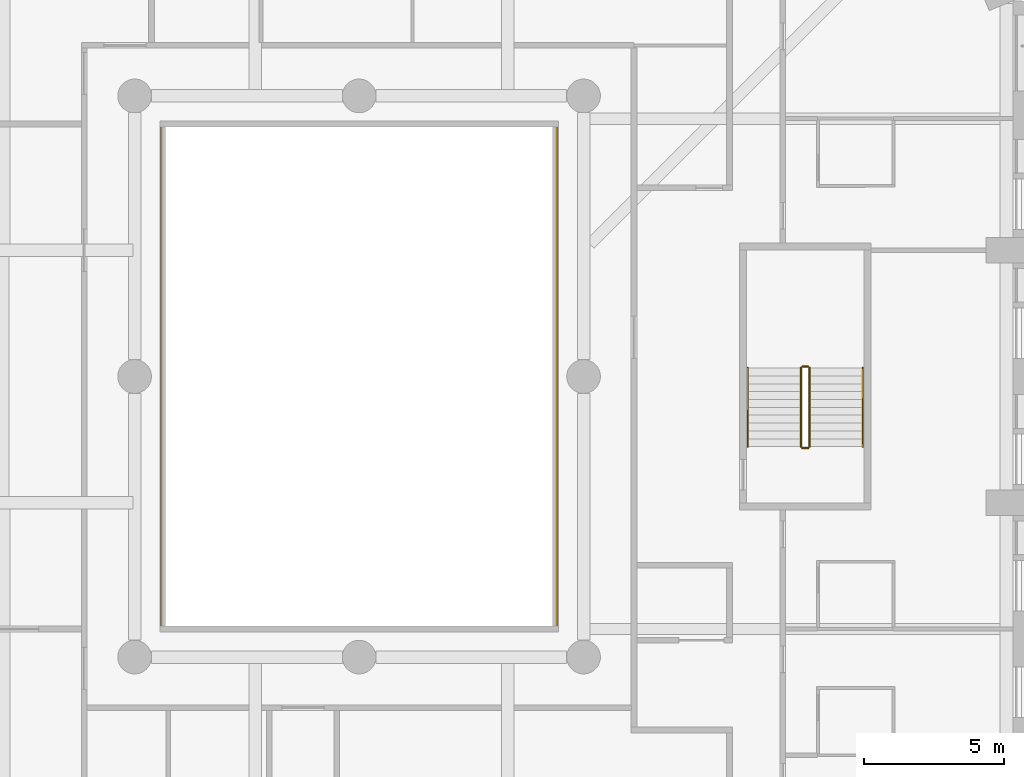
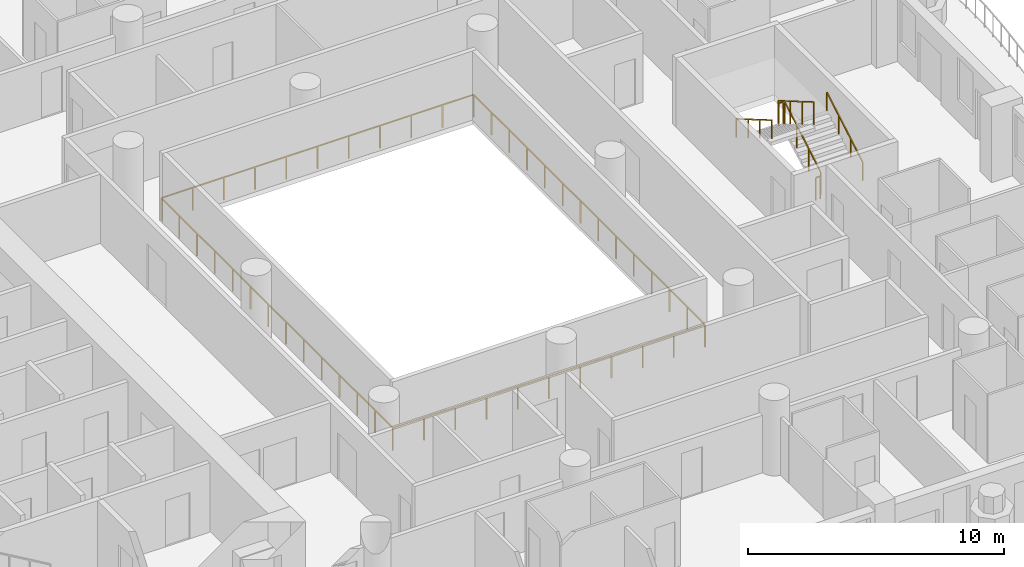
# One storey, part 15 of 20: 7 railings.
"""IFC4 building model written with IfcOpenShell, lengths in metres."""

from ifc_helpers import new_model, si_unit, direction, frame, origin, origin_2d, place, context, subcontext, project, spatial, rectangle, extrude, material, type_object, element, save


model = new_model("IFC4")

# Units and contexts
model_context = context("Model", 3, precision=1e-05, world=origin(), true_north=direction((0.0, 1.0)))
body_context = subcontext(model_context, "Body", "Model", "MODEL_VIEW")
ifc_project = project(units=[si_unit("LENGTHUNIT", "METRE"), si_unit("AREAUNIT", "SQUARE_METRE"), si_unit("VOLUMEUNIT", "CUBIC_METRE"), si_unit("PLANEANGLEUNIT", "RADIAN"), si_unit("MASSUNIT", "GRAM", prefix="KILO")], contexts=[model_context])

# Site, building, storey
site_placement = place(None, origin())
site = spatial("IfcSite", under=ifc_project, at=site_placement, CompositionType="ELEMENT")
building_placement = place(site_placement, origin())
building = spatial("IfcBuilding", under=site, at=building_placement, Name="Cypress Arch Tower", CompositionType="ELEMENT")
storey_placement = place(building_placement, frame((0.0, 0.0, 91.5)))
storey = spatial("IfcBuildingStorey", under=building, at=storey_placement, Name="L17", CompositionType="ELEMENT", Elevation=91.5)

# Railings
ifc_material_1 = material(Name="Stainless steel posts and handrail, laminated glass infill", Category="steel")
railing_type_1 = type_object("IfcRailingType", Name="Atrium guard GR1100A", PredefinedType="GUARDRAIL", material=ifc_material_1)
railing_1_placement = place(storey_placement, frame((8.050048828125, -9.050048828125, 0.0)))
element("IfcRailing", 1, at=railing_1_placement, inside=storey, type_object=railing_type_1, Name="Atrium guard L17", PredefinedType="GUARDRAIL", context=body_context, shape_type="SweptSolid", body=[
    extrude(rectangle(XDim=0.050048828125, YDim=0.050048828125, at=origin_2d()), frame((0.0, 0.0, 1.0751953125), z_axis=(-1.0, 0.0, 0.0), x_axis=(0.0, -1.0, 0.0)), (0.0, 0.0, 1.0), 14.10009765625),
    extrude(rectangle(XDim=0.050048828125, YDim=0.050048828125, at=origin_2d()), frame((-14.10009765625, 0.0, 1.0751953125), z_axis=(0.0, 1.0, 0.0), x_axis=(-1.0, 0.0, 0.0)), (0.0, 0.0, 1.0), 18.10009765625),
    extrude(rectangle(XDim=0.050048828125, YDim=0.050048828125, at=origin_2d()), frame((-14.10009765625, 18.10009765625, 1.0751953125), z_axis=(1.0, 0.0, 0.0), x_axis=(0.0, 1.0, 0.0)), (0.0, 0.0, 1.0), 14.10009765625),
    extrude(rectangle(XDim=0.050048828125, YDim=0.050048828125, at=origin_2d()), frame((0.0, 18.10009765625, 1.0751953125), z_axis=(0.0, -1.0, 0.0), x_axis=(1.0, 0.0, 0.0)), (0.0, 0.0, 1.0), 18.10009765625),
    extrude(rectangle(XDim=0.050048828125, YDim=0.050048828125, at=origin_2d()), origin(), (0.0, 0.0, 1.0), 1.050048828125),
    extrude(rectangle(XDim=0.050048828125, YDim=0.050048828125, at=origin_2d()), frame((-1.409912109375, 0.0, 0.0)), (0.0, 0.0, 1.0), 1.050048828125),
    extrude(rectangle(XDim=0.050048828125, YDim=0.050048828125, at=origin_2d()), frame((-2.820068359375, 0.0, 0.0)), (0.0, 0.0, 1.0), 1.050048828125),
    extrude(rectangle(XDim=0.050048828125, YDim=0.050048828125, at=origin_2d()), frame((-4.22998046875, 0.0, 0.0)), (0.0, 0.0, 1.0), 1.050048828125),
    extrude(rectangle(XDim=0.050048828125, YDim=0.050048828125, at=origin_2d()), frame((-5.64013671875, 0.0, 0.0)), (0.0, 0.0, 1.0), 1.050048828125),
    extrude(rectangle(XDim=0.050048828125, YDim=0.050048828125, at=origin_2d()), frame((-7.050048828125, 0.0, 0.0)), (0.0, 0.0, 1.0), 1.050048828125),
    extrude(rectangle(XDim=0.050048828125, YDim=0.050048828125, at=origin_2d()), frame((-8.4599609375, 0.0, 0.0)), (0.0, 0.0, 1.0), 1.050048828125),
    extrude(rectangle(XDim=0.050048828125, YDim=0.050048828125, at=origin_2d()), frame((-9.8701171875, 0.0, 0.0)), (0.0, 0.0, 1.0), 1.050048828125),
    extrude(rectangle(XDim=0.050048828125, YDim=0.050048828125, at=origin_2d()), frame((-11.280029296875, 0.0, 0.0)), (0.0, 0.0, 1.0), 1.050048828125),
    extrude(rectangle(XDim=0.050048828125, YDim=0.050048828125, at=origin_2d()), frame((-12.690185546875, 0.0, 0.0)), (0.0, 0.0, 1.0), 1.050048828125),
    extrude(rectangle(XDim=0.050048828125, YDim=0.050048828125, at=origin_2d()), frame((-14.10009765625, 0.0, 0.0)), (0.0, 0.0, 1.0), 1.050048828125),
    extrude(rectangle(XDim=0.050048828125, YDim=0.050048828125, at=origin_2d()), frame((-14.10009765625, 1.392333984375, 0.0)), (0.0, 0.0, 1.0), 1.050048828125),
    extrude(rectangle(XDim=0.050048828125, YDim=0.050048828125, at=origin_2d()), frame((-14.10009765625, 2.78466796875, 0.0)), (0.0, 0.0, 1.0), 1.050048828125),
    extrude(rectangle(XDim=0.050048828125, YDim=0.050048828125, at=origin_2d()), frame((-14.10009765625, 4.177001953125, 0.0)), (0.0, 0.0, 1.0), 1.050048828125),
    extrude(rectangle(XDim=0.050048828125, YDim=0.050048828125, at=origin_2d()), frame((-14.10009765625, 5.5693359375, 0.0)), (0.0, 0.0, 1.0), 1.050048828125),
    extrude(rectangle(XDim=0.050048828125, YDim=0.050048828125, at=origin_2d()), frame((-14.10009765625, 6.961669921875, 0.0)), (0.0, 0.0, 1.0), 1.050048828125),
    extrude(rectangle(XDim=0.050048828125, YDim=0.050048828125, at=origin_2d()), frame((-14.10009765625, 8.35400390625, 0.0)), (0.0, 0.0, 1.0), 1.050048828125),
    extrude(rectangle(XDim=0.050048828125, YDim=0.050048828125, at=origin_2d()), frame((-14.10009765625, 9.74609375, 0.0)), (0.0, 0.0, 1.0), 1.050048828125),
    extrude(rectangle(XDim=0.050048828125, YDim=0.050048828125, at=origin_2d()), frame((-14.10009765625, 11.138427734375, 0.0)), (0.0, 0.0, 1.0), 1.050048828125),
    extrude(rectangle(XDim=0.050048828125, YDim=0.050048828125, at=origin_2d()), frame((-14.10009765625, 12.53076171875, 0.0)), (0.0, 0.0, 1.0), 1.050048828125),
    extrude(rectangle(XDim=0.050048828125, YDim=0.050048828125, at=origin_2d()), frame((-14.10009765625, 13.923095703125, 0.0)), (0.0, 0.0, 1.0), 1.050048828125),
    extrude(rectangle(XDim=0.050048828125, YDim=0.050048828125, at=origin_2d()), frame((-14.10009765625, 15.3154296875, 0.0)), (0.0, 0.0, 1.0), 1.050048828125),
    extrude(rectangle(XDim=0.050048828125, YDim=0.050048828125, at=origin_2d()), frame((-14.10009765625, 16.707763671875, 0.0)), (0.0, 0.0, 1.0), 1.050048828125),
    extrude(rectangle(XDim=0.050048828125, YDim=0.050048828125, at=origin_2d()), frame((-14.10009765625, 18.10009765625, 0.0)), (0.0, 0.0, 1.0), 1.050048828125),
    extrude(rectangle(XDim=0.050048828125, YDim=0.050048828125, at=origin_2d()), frame((-12.690185546875, 18.10009765625, 0.0)), (0.0, 0.0, 1.0), 1.050048828125),
    extrude(rectangle(XDim=0.050048828125, YDim=0.050048828125, at=origin_2d()), frame((-11.280029296875, 18.10009765625, 0.0)), (0.0, 0.0, 1.0), 1.050048828125),
    extrude(rectangle(XDim=0.050048828125, YDim=0.050048828125, at=origin_2d()), frame((-9.8701171875, 18.10009765625, 0.0)), (0.0, 0.0, 1.0), 1.050048828125),
    extrude(rectangle(XDim=0.050048828125, YDim=0.050048828125, at=origin_2d()), frame((-8.4599609375, 18.10009765625, 0.0)), (0.0, 0.0, 1.0), 1.050048828125),
    extrude(rectangle(XDim=0.050048828125, YDim=0.050048828125, at=origin_2d()), frame((-7.050048828125, 18.10009765625, 0.0)), (0.0, 0.0, 1.0), 1.050048828125),
    extrude(rectangle(XDim=0.050048828125, YDim=0.050048828125, at=origin_2d()), frame((-5.64013671875, 18.10009765625, 0.0)), (0.0, 0.0, 1.0), 1.050048828125),
    extrude(rectangle(XDim=0.050048828125, YDim=0.050048828125, at=origin_2d()), frame((-4.22998046875, 18.10009765625, 0.0)), (0.0, 0.0, 1.0), 1.050048828125),
    extrude(rectangle(XDim=0.050048828125, YDim=0.050048828125, at=origin_2d()), frame((-2.820068359375, 18.10009765625, 0.0)), (0.0, 0.0, 1.0), 1.050048828125),
    extrude(rectangle(XDim=0.050048828125, YDim=0.050048828125, at=origin_2d()), frame((-1.409912109375, 18.10009765625, 0.0)), (0.0, 0.0, 1.0), 1.050048828125),
    extrude(rectangle(XDim=0.050048828125, YDim=0.050048828125, at=origin_2d()), frame((0.0, 18.10009765625, 0.0)), (0.0, 0.0, 1.0), 1.050048828125),
    extrude(rectangle(XDim=0.050048828125, YDim=0.050048828125, at=origin_2d()), frame((0.0, 16.707763671875, 0.0)), (0.0, 0.0, 1.0), 1.050048828125),
    extrude(rectangle(XDim=0.050048828125, YDim=0.050048828125, at=origin_2d()), frame((0.0, 15.3154296875, 0.0)), (0.0, 0.0, 1.0), 1.050048828125),
    extrude(rectangle(XDim=0.050048828125, YDim=0.050048828125, at=origin_2d()), frame((0.0, 13.923095703125, 0.0)), (0.0, 0.0, 1.0), 1.050048828125),
    extrude(rectangle(XDim=0.050048828125, YDim=0.050048828125, at=origin_2d()), frame((0.0, 12.53076171875, 0.0)), (0.0, 0.0, 1.0), 1.050048828125),
    extrude(rectangle(XDim=0.050048828125, YDim=0.050048828125, at=origin_2d()), frame((0.0, 11.138427734375, 0.0)), (0.0, 0.0, 1.0), 1.050048828125),
    extrude(rectangle(XDim=0.050048828125, YDim=0.050048828125, at=origin_2d()), frame((0.0, 9.74609375, 0.0)), (0.0, 0.0, 1.0), 1.050048828125),
    extrude(rectangle(XDim=0.050048828125, YDim=0.050048828125, at=origin_2d()), frame((0.0, 8.35400390625, 0.0)), (0.0, 0.0, 1.0), 1.050048828125),
    extrude(rectangle(XDim=0.050048828125, YDim=0.050048828125, at=origin_2d()), frame((0.0, 6.961669921875, 0.0)), (0.0, 0.0, 1.0), 1.050048828125),
    extrude(rectangle(XDim=0.050048828125, YDim=0.050048828125, at=origin_2d()), frame((0.0, 5.5693359375, 0.0)), (0.0, 0.0, 1.0), 1.050048828125),
    extrude(rectangle(XDim=0.050048828125, YDim=0.050048828125, at=origin_2d()), frame((0.0, 4.177001953125, 0.0)), (0.0, 0.0, 1.0), 1.050048828125),
    extrude(rectangle(XDim=0.050048828125, YDim=0.050048828125, at=origin_2d()), frame((0.0, 2.78466796875, 0.0)), (0.0, 0.0, 1.0), 1.050048828125),
    extrude(rectangle(XDim=0.050048828125, YDim=0.050048828125, at=origin_2d()), frame((0.0, 1.392333984375, 0.0)), (0.0, 0.0, 1.0), 1.050048828125),
])
ifc_material_2 = material(Name="Black powder-coated steel square bar 48 mm", Category="steel")
railing_type_2 = type_object("IfcRailingType", Name="Stair handrail HR1", PredefinedType="HANDRAIL", material=ifc_material_2)
railing_2_placement = place(storey_placement, frame((18.949951171875, -2.5, 0.16357421875)))
element("IfcRailing", 2, at=railing_2_placement, inside=storey, type_object=railing_type_2, Name="L17 C stair handrail 1", PredefinedType="HANDRAIL", context=body_context, shape_type="SweptSolid", body=[
    extrude(rectangle(XDim=0.048095703125, YDim=0.048095703125, at=origin_2d()), frame((0.0, 0.0, 0.8759765625), z_axis=(0.0, 0.863360870873, 0.504586966384), x_axis=(-1.0, 0.0, 0.0)), (0.0, 0.0, 1.0), 3.2431640625),
    extrude(rectangle(XDim=0.0419921875, YDim=0.0419921875, at=origin_2d()), origin(), (0.0, 0.0, 1.0), 0.851806640625),
    extrude(rectangle(XDim=0.0419921875, YDim=0.0419921875, at=origin_2d()), frame((0.0, 0.933349609375, 0.54541015625)), (0.0, 0.0, 1.0), 0.851806640625),
    extrude(rectangle(XDim=0.0419921875, YDim=0.0419921875, at=origin_2d()), frame((0.0, 1.86669921875, 1.091064453125)), (0.0, 0.0, 1.0), 0.851806640625),
    extrude(rectangle(XDim=0.0419921875, YDim=0.0419921875, at=origin_2d()), frame((0.0, 2.800048828125, 1.636474609375)), (0.0, 0.0, 1.0), 0.851806640625),
])
railing_3_placement = place(storey_placement, frame((14.85009765625, 0.300048828125, 1.963623046875)))
element("IfcRailing", 3, at=railing_3_placement, inside=storey, type_object=railing_type_2, Name="L17 C stair handrail 2", PredefinedType="HANDRAIL", context=body_context, shape_type="SweptSolid", body=[
    extrude(rectangle(XDim=0.048095703125, YDim=0.048095703125, at=origin_2d()), frame((0.0, 0.0, 0.8759765625), z_axis=(0.0, -0.863360870873, 0.504586966384), x_axis=(1.0, 0.0, 0.0)), (0.0, 0.0, 1.0), 3.2431640625),
    extrude(rectangle(XDim=0.0419921875, YDim=0.0419921875, at=origin_2d()), origin(), (0.0, 0.0, 1.0), 0.851806640625),
    extrude(rectangle(XDim=0.0419921875, YDim=0.0419921875, at=origin_2d()), frame((0.0, -0.933349609375, 0.54541015625)), (0.0, 0.0, 1.0), 0.851806640625),
    extrude(rectangle(XDim=0.0419921875, YDim=0.0419921875, at=origin_2d()), frame((0.0, -1.86669921875, 1.091064453125)), (0.0, 0.0, 1.0), 0.851806640625),
    extrude(rectangle(XDim=0.0419921875, YDim=0.0419921875, at=origin_2d()), frame((0.0, -2.800048828125, 1.636474609375)), (0.0, 0.0, 1.0), 0.851806640625),
])
ifc_material_3 = material(Name="Black powder-coated steel balusters", Category="steel")
railing_type_3 = type_object("IfcRailingType", Name="Stair well guard G1", PredefinedType="GUARDRAIL", material=ifc_material_3)
railing_4_placement = place(storey_placement, frame((17.050048828125, -2.5, 0.16357421875)))
element("IfcRailing", 4, at=railing_4_placement, inside=storey, type_object=railing_type_3, Name="L17 C stair guard 1", PredefinedType="GUARDRAIL", context=body_context, shape_type="SweptSolid", body=[
    extrude(rectangle(XDim=0.048095703125, YDim=0.048095703125, at=origin_2d()), frame((0.0, 0.0, 1.076171875), z_axis=(0.0, 0.863360870873, 0.504586966384), x_axis=(-1.0, 0.0, 0.0)), (0.0, 0.0, 1.0), 3.2431640625),
    extrude(rectangle(XDim=0.0419921875, YDim=0.0419921875, at=origin_2d()), origin(), (0.0, 0.0, 1.0), 1.052001953125),
    extrude(rectangle(XDim=0.0419921875, YDim=0.0419921875, at=origin_2d()), frame((0.0, 0.933349609375, 0.54541015625)), (0.0, 0.0, 1.0), 1.052001953125),
    extrude(rectangle(XDim=0.0419921875, YDim=0.0419921875, at=origin_2d()), frame((0.0, 1.86669921875, 1.091064453125)), (0.0, 0.0, 1.0), 1.052001953125),
    extrude(rectangle(XDim=0.0419921875, YDim=0.0419921875, at=origin_2d()), frame((0.0, 2.800048828125, 1.636474609375)), (0.0, 0.0, 1.0), 1.052001953125),
])
railing_5_placement = place(storey_placement, frame((17.0, 0.35009765625, 1.800048828125)))
element("IfcRailing", 5, at=railing_5_placement, inside=storey, type_object=railing_type_3, Name="L17 C stair guard 2", PredefinedType="GUARDRAIL", context=body_context, shape_type="SweptSolid", body=[
    extrude(rectangle(XDim=0.048095703125, YDim=0.048095703125, at=origin_2d()), frame((0.0, 0.0, 1.076171875), z_axis=(-1.0, 0.0, 0.0), x_axis=(0.0, -1.0, 0.0)), (0.0, 0.0, 1.0), 0.199951171875),
    extrude(rectangle(XDim=0.0419921875, YDim=0.0419921875, at=origin_2d()), origin(), (0.0, 0.0, 1.0), 1.052001953125),
    extrude(rectangle(XDim=0.0419921875, YDim=0.0419921875, at=origin_2d()), frame((-0.199951171875, 0.0, 0.0)), (0.0, 0.0, 1.0), 1.052001953125),
])
railing_6_placement = place(storey_placement, frame((16.75, 0.300048828125, 1.963623046875)))
element("IfcRailing", 6, at=railing_6_placement, inside=storey, type_object=railing_type_3, Name="L17 C stair guard 3", PredefinedType="GUARDRAIL", context=body_context, shape_type="SweptSolid", body=[
    extrude(rectangle(XDim=0.048095703125, YDim=0.048095703125, at=origin_2d()), frame((0.0, 0.0, 1.076171875), z_axis=(0.0, -0.863360870873, 0.504586966384), x_axis=(1.0, 0.0, 0.0)), (0.0, 0.0, 1.0), 3.2431640625),
    extrude(rectangle(XDim=0.0419921875, YDim=0.0419921875, at=origin_2d()), origin(), (0.0, 0.0, 1.0), 1.052001953125),
    extrude(rectangle(XDim=0.0419921875, YDim=0.0419921875, at=origin_2d()), frame((0.0, -0.933349609375, 0.54541015625)), (0.0, 0.0, 1.0), 1.052001953125),
    extrude(rectangle(XDim=0.0419921875, YDim=0.0419921875, at=origin_2d()), frame((0.0, -1.86669921875, 1.091064453125)), (0.0, 0.0, 1.0), 1.052001953125),
    extrude(rectangle(XDim=0.0419921875, YDim=0.0419921875, at=origin_2d()), frame((0.0, -2.800048828125, 1.636474609375)), (0.0, 0.0, 1.0), 1.052001953125),
])
railing_7_placement = place(storey_placement, frame((17.0, -2.550048828125, 0.0)))
element("IfcRailing", 7, at=railing_7_placement, inside=storey, type_object=railing_type_3, Name="L17 C stair guard 4", PredefinedType="GUARDRAIL", context=body_context, shape_type="SweptSolid", body=[
    extrude(rectangle(XDim=0.048095703125, YDim=0.048095703125, at=origin_2d()), frame((0.0, 0.0, 1.076171875), z_axis=(-1.0, 0.0, 0.0), x_axis=(0.0, -1.0, 0.0)), (0.0, 0.0, 1.0), 0.199951171875),
    extrude(rectangle(XDim=0.0419921875, YDim=0.0419921875, at=origin_2d()), origin(), (0.0, 0.0, 1.0), 1.052001953125),
    extrude(rectangle(XDim=0.0419921875, YDim=0.0419921875, at=origin_2d()), frame((-0.199951171875, 0.0, 0.0)), (0.0, 0.0, 1.0), 1.052001953125),
])

save(model, "model.ifc")
